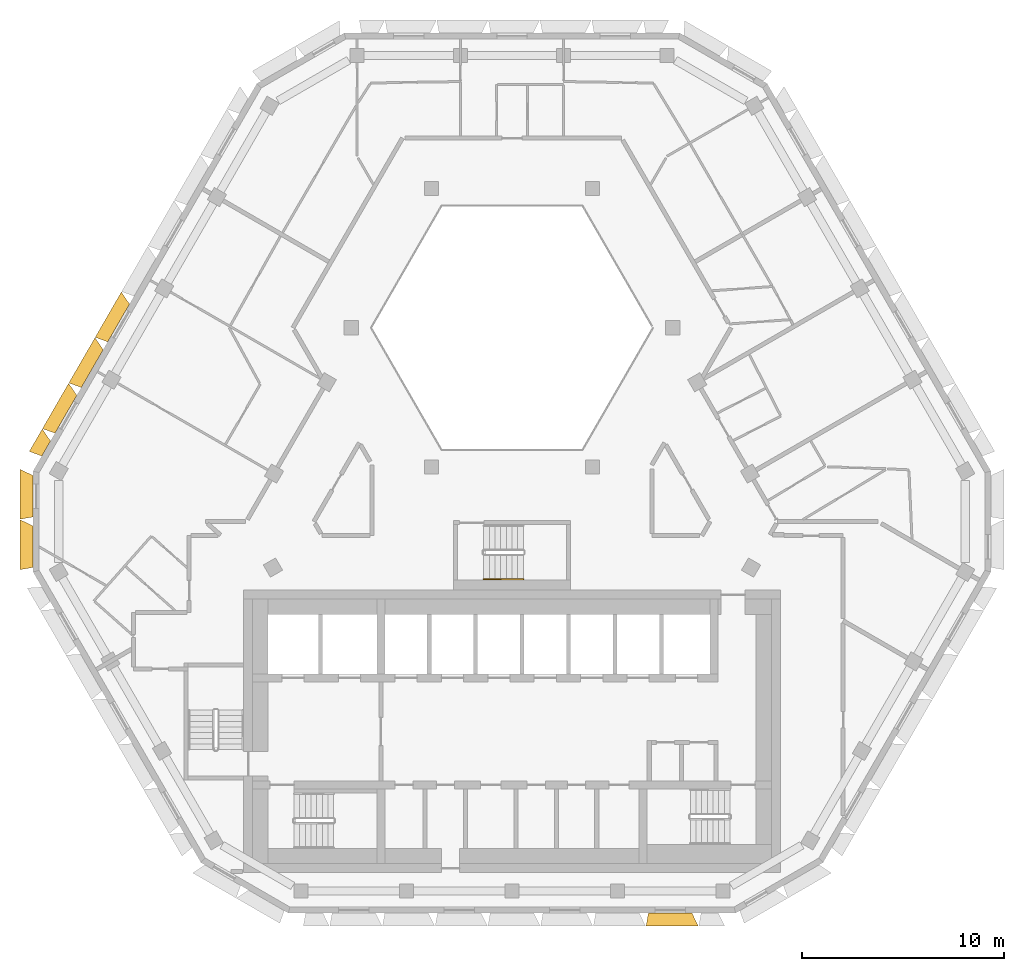
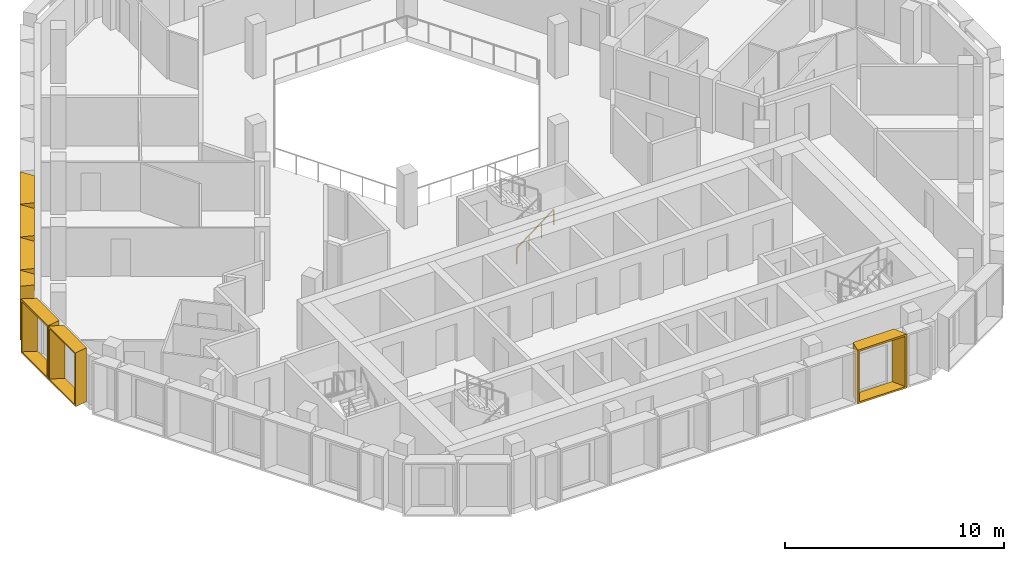
# One storey, part 11 of 14: 7 shading devices, 1 railing.
"""IFC4 building model written with IfcOpenShell, lengths in metres."""

from ifc_helpers import new_model, entity, si_unit, direction, frame, origin, origin_2d, place, context, subcontext, project, spatial, rectangle, extrude, source, transform, mapped, material, type_object, type_shapes, element, save


model = new_model("IFC4")

# Units and contexts
model_context = context("Model", 3, precision=1e-05, world=origin(), true_north=direction((0.0, 1.0)))
body_context = subcontext(model_context, "Body", "Model", "MODEL_VIEW")
ifc_project = project(units=[si_unit("LENGTHUNIT", "METRE"), si_unit("AREAUNIT", "SQUARE_METRE"), si_unit("VOLUMEUNIT", "CUBIC_METRE"), si_unit("PLANEANGLEUNIT", "RADIAN"), si_unit("MASSUNIT", "GRAM", prefix="KILO")], contexts=[model_context])

# Site, building, storey
site_placement = place(None, origin())
site = spatial("IfcSite", under=ifc_project, at=site_placement, CompositionType="ELEMENT")
building_placement = place(site_placement, origin())
building = spatial("IfcBuilding", under=site, at=building_placement, Name="Beryl Residences", CompositionType="ELEMENT")
storey_placement = place(building_placement, frame((0.0, 0.0, 229.800048828125)))
storey = spatial("IfcBuildingStorey", under=building, at=storey_placement, Name="L71", CompositionType="ELEMENT", Elevation=229.800048828125)

# Shading devices
ifc_material_1 = material(Name="Aluminium pale anodised", Category="aluminium")
shading_device_type_1 = type_object("IfcShadingDeviceType", Name="FR131-65B OUTER SKIN frame 650 mm deep, splay 26/10 deg, 1310 x 3000 mm cell", PredefinedType="USERDEFINED", material=ifc_material_1)
cartesian_point_1 = entity("IfcCartesianPoint", [-0.428955078125, 0.0])
cartesian_point_2 = entity("IfcCartesianPoint", [-0.340087890625, 0.10009765625])
cartesian_point_3 = entity("IfcCartesianPoint", [-0.74609375, 0.0])
cartesian_point_4 = entity("IfcCartesianPoint", [-0.656982421875, 0.10009765625])
shared_shape_1 = source(origin(), body_context, "Body", "SweptSolid", [
    entity("IfcExtrudedAreaSolidTapered", entity("IfcArbitraryProfileDefWithVoids", "AREA", None, entity("IfcPolyline", [cartesian_point_1, entity("IfcCartesianPoint", [0.428955078125, 0.0]), entity("IfcCartesianPoint", [0.428955078125, 3.0]), entity("IfcCartesianPoint", [-0.428955078125, 3.0]), cartesian_point_1]), [entity("IfcPolyline", [cartesian_point_2, entity("IfcCartesianPoint", [0.34765625, 0.10009765625]), entity("IfcCartesianPoint", [0.34765625, 2.89990234375]), entity("IfcCartesianPoint", [-0.340087890625, 2.89990234375]), cartesian_point_2])]), entity("IfcAxis2Placement3D", entity("IfcCartesianPoint", [0.0, 0.0, 0.0]), entity("IfcDirection", [0.0, 1.0, 0.0]), entity("IfcDirection", [-1.0, 0.0, 0.0])), entity("IfcDirection", [0.0, 0.0, 1.0]), 0.64990234375, entity("IfcArbitraryProfileDefWithVoids", "AREA", None, entity("IfcPolyline", [cartesian_point_3, entity("IfcCartesianPoint", [0.543701171875, 0.0]), entity("IfcCartesianPoint", [0.543701171875, 3.0]), entity("IfcCartesianPoint", [-0.74609375, 3.0]), cartesian_point_3]), [entity("IfcPolyline", [cartesian_point_4, entity("IfcCartesianPoint", [0.46240234375, 0.10009765625]), entity("IfcCartesianPoint", [0.46240234375, 2.89990234375]), entity("IfcCartesianPoint", [-0.656982421875, 2.89990234375]), cartesian_point_4])])),
])
type_shapes(shading_device_type_1, [shared_shape_1])
shading_device_1_placement = place(storey_placement, frame((-23.083984375, 2.01611328125, 0.0), z_axis=(0.0, 0.0, 1.0), x_axis=(0.5, 0.866025403784, 0.0)))
element("IfcShadingDevice", 1, at=shading_device_1_placement, inside=storey, type_object=shading_device_type_1, Name="FR131-65B frame L71 NW 9", ObjectType="OUTER SKIN", PredefinedType="USERDEFINED", context=body_context, shape_type="MappedRepresentation", body=[
    mapped(shared_shape_1, transform((0.0, 0.0, 0.0))),
])
ifc_material_2 = material(Name="Aluminium pale anodised", Category="aluminium")
shading_device_type_2 = type_object("IfcShadingDeviceType", Name="FR250-65B OUTER SKIN frame 650 mm deep, splay 26/10 deg, 2500 x 3000 mm cell", PredefinedType="USERDEFINED", material=ifc_material_2)
cartesian_point_5 = entity("IfcCartesianPoint", [-1.02392578125, 0.0])
cartesian_point_6 = entity("IfcCartesianPoint", [-0.93505859375, 0.10009765625])
cartesian_point_7 = entity("IfcCartesianPoint", [-1.341064453125, 0.0])
cartesian_point_8 = entity("IfcCartesianPoint", [-1.251953125, 0.10009765625])
shared_shape_2 = source(origin(), body_context, "Body", "SweptSolid", [
    entity("IfcExtrudedAreaSolidTapered", entity("IfcArbitraryProfileDefWithVoids", "AREA", None, entity("IfcPolyline", [cartesian_point_5, entity("IfcCartesianPoint", [1.02392578125, 0.0]), entity("IfcCartesianPoint", [1.02392578125, 3.0]), entity("IfcCartesianPoint", [-1.02392578125, 3.0]), cartesian_point_5]), [entity("IfcPolyline", [cartesian_point_6, entity("IfcCartesianPoint", [0.94287109375, 0.10009765625]), entity("IfcCartesianPoint", [0.94287109375, 2.89990234375]), entity("IfcCartesianPoint", [-0.93505859375, 2.89990234375]), cartesian_point_6])]), entity("IfcAxis2Placement3D", entity("IfcCartesianPoint", [0.0, 0.0, 0.0]), entity("IfcDirection", [0.0, 1.0, 0.0]), entity("IfcDirection", [-1.0, 0.0, 0.0])), entity("IfcDirection", [0.0, 0.0, 1.0]), 0.64990234375, entity("IfcArbitraryProfileDefWithVoids", "AREA", None, entity("IfcPolyline", [cartesian_point_7, entity("IfcCartesianPoint", [1.138671875, 0.0]), entity("IfcCartesianPoint", [1.138671875, 3.0]), entity("IfcCartesianPoint", [-1.341064453125, 3.0]), cartesian_point_7]), [entity("IfcPolyline", [cartesian_point_8, entity("IfcCartesianPoint", [1.057373046875, 0.10009765625]), entity("IfcCartesianPoint", [1.057373046875, 2.89990234375]), entity("IfcCartesianPoint", [-1.251953125, 2.89990234375]), cartesian_point_8])])),
])
type_shapes(shading_device_type_2, [shared_shape_2])
for number, where, z_axis, x_axis, name in (
    (2, (-23.72900390625, -0.35009765625, 0.0), (0.0, 0.0, 1.0), (0.0, 1.0, 0.0), "FR250-65B frame L71 NW-SW 1"),
    (3, (-23.72900390625, -2.85009765625, 0.0), (0.0, 0.0, 1.0), (0.0, 1.0, 0.0), "FR250-65B frame L71 NW-SW 2"),
):
    element("IfcShadingDevice", number, at=place(storey_placement, frame(where, z_axis=z_axis, x_axis=x_axis)), inside=storey, type_object=shading_device_type_2, Name=name, ObjectType="OUTER SKIN", PredefinedType="USERDEFINED", context=body_context, shape_type="MappedRepresentation", body=[
        mapped(shared_shape_2, transform((0.0, 0.0, 0.0))),
    ])
ifc_material_3 = material(Name="Aluminium pale anodised", Category="aluminium")
shading_device_type_3 = type_object("IfcShadingDeviceType", Name="FR261-65B OUTER SKIN frame 650 mm deep, splay 26/10 deg, 2610 x 3000 mm cell", PredefinedType="USERDEFINED", material=ifc_material_3)
cartesian_point_9 = entity("IfcCartesianPoint", [-1.0791015625, 0.0])
cartesian_point_10 = entity("IfcCartesianPoint", [-0.989990234375, 0.10009765625])
cartesian_point_11 = entity("IfcCartesianPoint", [-1.39599609375, 0.0])
cartesian_point_12 = entity("IfcCartesianPoint", [-1.30712890625, 0.10009765625])
shared_shape_3 = source(origin(), body_context, "Body", "SweptSolid", [
    entity("IfcExtrudedAreaSolidTapered", entity("IfcArbitraryProfileDefWithVoids", "AREA", None, entity("IfcPolyline", [cartesian_point_9, entity("IfcCartesianPoint", [1.0791015625, 0.0]), entity("IfcCartesianPoint", [1.0791015625, 3.0]), entity("IfcCartesianPoint", [-1.0791015625, 3.0]), cartesian_point_9]), [entity("IfcPolyline", [cartesian_point_10, entity("IfcCartesianPoint", [0.997802734375, 0.10009765625]), entity("IfcCartesianPoint", [0.997802734375, 2.89990234375]), entity("IfcCartesianPoint", [-0.989990234375, 2.89990234375]), cartesian_point_10])]), entity("IfcAxis2Placement3D", entity("IfcCartesianPoint", [0.0, 0.0, 0.0]), entity("IfcDirection", [0.0, 1.0, 0.0]), entity("IfcDirection", [-1.0, 0.0, 0.0])), entity("IfcDirection", [0.0, 0.0, 1.0]), 0.64990234375, entity("IfcArbitraryProfileDefWithVoids", "AREA", None, entity("IfcPolyline", [cartesian_point_11, entity("IfcCartesianPoint", [1.193603515625, 0.0]), entity("IfcCartesianPoint", [1.193603515625, 3.0]), entity("IfcCartesianPoint", [-1.39599609375, 3.0]), cartesian_point_11]), [entity("IfcPolyline", [cartesian_point_12, entity("IfcCartesianPoint", [1.1123046875, 0.10009765625]), entity("IfcCartesianPoint", [1.1123046875, 2.89990234375]), entity("IfcCartesianPoint", [-1.30712890625, 2.89990234375]), cartesian_point_12])])),
])
type_shapes(shading_device_type_3, [shared_shape_3])
for number, where, z_axis, x_axis, name in (
    (4, (-19.491943359375, 8.237060546875, 0.0), (0.0, 0.0, 1.0), (0.5, 0.866025403784, 0.0), "FR261-65B frame L71 NW 6"),
    (5, (-20.798095703125, 5.97509765625, 0.0), (0.0, 0.0, 1.0), (0.5, 0.866025403784, 0.0), "FR261-65B frame L71 NW 7"),
    (6, (-22.10498046875, 3.7119140625, 0.0), (0.0, 0.0, 1.0), (0.5, 0.866025403784, 0.0), "FR261-65B frame L71 NW 8"),
):
    element("IfcShadingDevice", number, at=place(storey_placement, frame(where, z_axis=z_axis, x_axis=x_axis)), inside=storey, type_object=shading_device_type_3, Name=name, ObjectType="OUTER SKIN", PredefinedType="USERDEFINED", context=body_context, shape_type="MappedRepresentation", body=[
        mapped(shared_shape_3, transform((0.0, 0.0, 0.0))),
    ])
ifc_material_4 = material(Name="Aluminium pale anodised", Category="aluminium")
shading_device_type_4 = type_object("IfcShadingDeviceType", Name="FR261-65C OUTER SKIN frame 650 mm deep, splay 10/26 deg, 2610 x 3000 mm cell", PredefinedType="USERDEFINED", material=ifc_material_4)
cartesian_point_13 = entity("IfcCartesianPoint", [-1.0791015625, 0.0])
cartesian_point_14 = entity("IfcCartesianPoint", [-0.997802734375, 0.10009765625])
cartesian_point_15 = entity("IfcCartesianPoint", [-1.193603515625, 0.0])
cartesian_point_16 = entity("IfcCartesianPoint", [-1.1123046875, 0.10009765625])
shared_shape_4 = source(origin(), body_context, "Body", "SweptSolid", [
    entity("IfcExtrudedAreaSolidTapered", entity("IfcArbitraryProfileDefWithVoids", "AREA", None, entity("IfcPolyline", [cartesian_point_13, entity("IfcCartesianPoint", [1.0791015625, 0.0]), entity("IfcCartesianPoint", [1.0791015625, 3.0]), entity("IfcCartesianPoint", [-1.0791015625, 3.0]), cartesian_point_13]), [entity("IfcPolyline", [cartesian_point_14, entity("IfcCartesianPoint", [0.989990234375, 0.10009765625]), entity("IfcCartesianPoint", [0.989990234375, 2.89990234375]), entity("IfcCartesianPoint", [-0.997802734375, 2.89990234375]), cartesian_point_14])]), entity("IfcAxis2Placement3D", entity("IfcCartesianPoint", [0.0, 0.0, 0.0]), entity("IfcDirection", [0.0, 1.0, 0.0]), entity("IfcDirection", [-1.0, 0.0, 0.0])), entity("IfcDirection", [0.0, 0.0, 1.0]), 0.64990234375, entity("IfcArbitraryProfileDefWithVoids", "AREA", None, entity("IfcPolyline", [cartesian_point_15, entity("IfcCartesianPoint", [1.39599609375, 0.0]), entity("IfcCartesianPoint", [1.39599609375, 3.0]), entity("IfcCartesianPoint", [-1.193603515625, 3.0]), cartesian_point_15]), [entity("IfcPolyline", [cartesian_point_16, entity("IfcCartesianPoint", [1.30712890625, 0.10009765625]), entity("IfcCartesianPoint", [1.30712890625, 2.89990234375]), entity("IfcCartesianPoint", [-1.1123046875, 2.89990234375]), cartesian_point_16])])),
])
type_shapes(shading_device_type_4, [shared_shape_4])
shading_device_2_placement = place(storey_placement, frame((7.8369140625, -21.0, 0.0), z_axis=(0.0, 0.0, 1.0), x_axis=(-1.0, 0.0, 0.0)))
element("IfcShadingDevice", 7, at=shading_device_2_placement, inside=storey, type_object=shading_device_type_4, Name="FR261-65C frame L71 S 8", ObjectType="OUTER SKIN", PredefinedType="USERDEFINED", context=body_context, shape_type="MappedRepresentation", body=[
    mapped(shared_shape_4, transform((0.0, 0.0, 0.0))),
])

# Railing
ifc_material_5 = material(Name="Stainless steel handrail", Category="steel")
railing_type = type_object("IfcRailingType", Name="SRL1 stair handrail 900 mm", PredefinedType="HANDRAIL", material=ifc_material_5)
railing_placement = place(storey_placement, frame((-1.39990234375, -4.449951171875, 0.1875)))
element("IfcRailing", 8, at=railing_placement, inside=storey, type_object=railing_type, Name="L71 ST-4 stair handrail 1", PredefinedType="HANDRAIL", context=body_context, shape_type="SweptSolid", body=[
    extrude(rectangle(XDim=0.048095703125, YDim=0.048095703125, at=origin_2d()), frame((0.0, 0.0, 0.8759765625), z_axis=(0.794121922505, 0.0, 0.607758481798), x_axis=(0.0, 1.0, 0.0)), (0.0, 0.0, 1.0), 2.468017578125),
    extrude(rectangle(XDim=0.0419921875, YDim=0.0419921875, at=origin_2d()), origin(), (0.0, 0.0, 1.0), 0.851806640625),
    extrude(rectangle(XDim=0.0419921875, YDim=0.0419921875, at=origin_2d()), frame((0.6533203125, 0.0, 0.5)), (0.0, 0.0, 1.0), 0.851806640625),
    extrude(rectangle(XDim=0.0419921875, YDim=0.0419921875, at=origin_2d()), frame((1.306640625, 0.0, 1.0)), (0.0, 0.0, 1.0), 0.851806640625),
    extrude(rectangle(XDim=0.0419921875, YDim=0.0419921875, at=origin_2d()), frame((1.9599609375, 0.0, 1.5)), (0.0, 0.0, 1.0), 0.851806640625),
])

save(model, "model.ifc")
